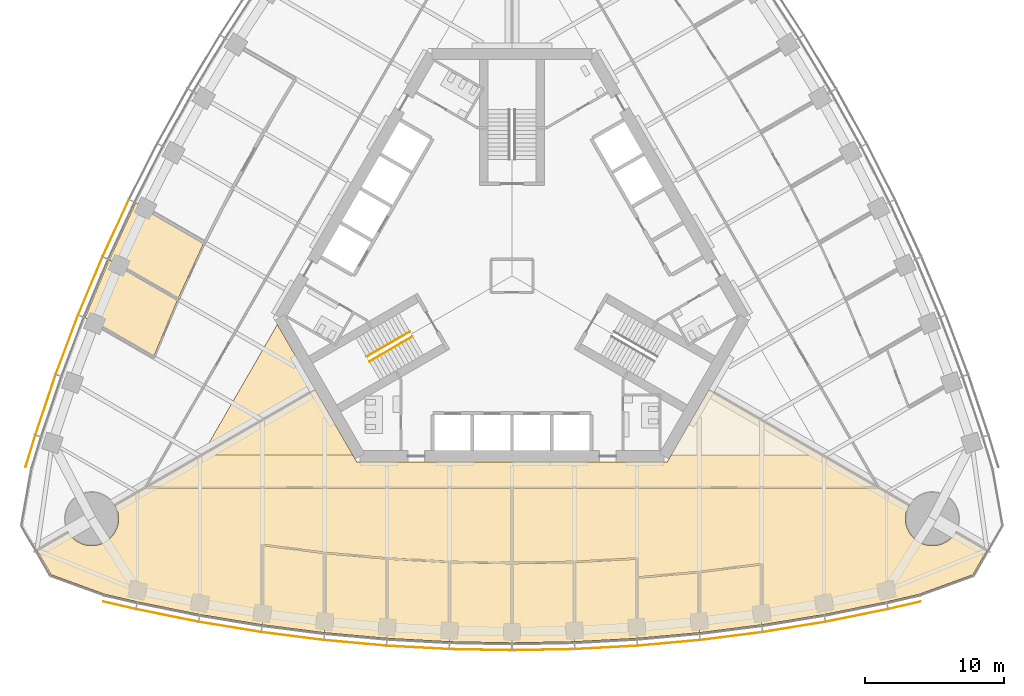
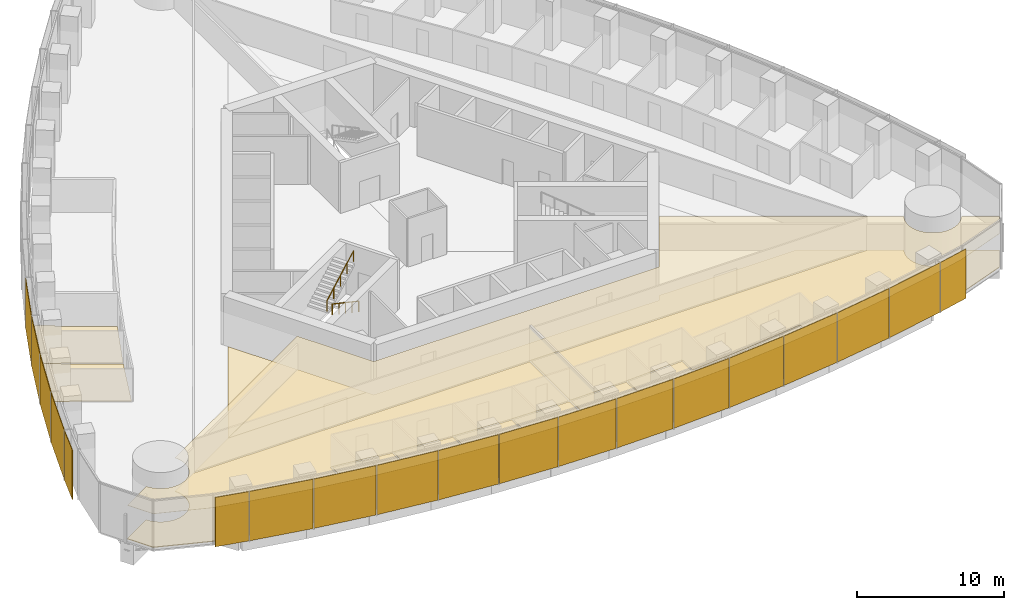
# One storey, part 17 of 21: 19 shading devices, 16 coverings, 2 railings.
"""IFC4 building model written with IfcOpenShell, lengths in metres."""

from ifc_helpers import new_model, si_unit, direction, frame, origin, origin_2d, place, context, subcontext, project, spatial, polyline, rectangle, circle, outline, extrude, material, layer, layer_set, type_object, element, save


model = new_model("IFC4")

# Units and contexts
model_context = context("Model", 3, precision=1e-05, world=origin(), true_north=direction((0.0, 1.0)))
body_context = subcontext(model_context, "Body", "Model", "MODEL_VIEW")
ifc_project = project(units=[si_unit("LENGTHUNIT", "METRE"), si_unit("AREAUNIT", "SQUARE_METRE"), si_unit("VOLUMEUNIT", "CUBIC_METRE"), si_unit("PLANEANGLEUNIT", "RADIAN"), si_unit("MASSUNIT", "GRAM", prefix="KILO")], contexts=[model_context])

# Site, building, storey
site_placement = place(None, origin())
site = spatial("IfcSite", under=ifc_project, at=site_placement, CompositionType="ELEMENT")
building_placement = place(site_placement, origin())
building = spatial("IfcBuilding", under=site, at=building_placement, Name="Trefoil Bronze Tower", CompositionType="ELEMENT")
storey_placement = place(building_placement, frame((0.0, 0.0, 149.300048828125)))
storey = spatial("IfcBuildingStorey", under=building, at=storey_placement, Name="L34", CompositionType="ELEMENT", Elevation=149.300048828125)

# Shading devices
ifc_material_1 = material(Name="Perforated bronze sheet", Category="bronze")
ifc_layer_1 = layer(ifc_material_1, 0.0400390625)
ifc_layer_set_1 = layer_set([ifc_layer_1], Name="Bronze solar screen panel")
shading_device_type = type_object("IfcShadingDeviceType", Name="Bronze solar screen panel", PredefinedType="SHUTTER", material=ifc_layer_set_1)
shading_device_1_placement = place(storey_placement, frame((-28.30078125, -23.748779296875, 0.0498046875), z_axis=(0.0, 0.0, 1.0), x_axis=(0.97420444715, -0.225667222151, 0.0)))
element("IfcShadingDevice", 1, at=shading_device_1_placement, inside=storey, type_object=shading_device_type, Name="Solar screen CW-A L34 F1 bay 1", PredefinedType="SHUTTER", context=body_context, shape_type="SweptSolid", body=[
    extrude(rectangle(XDim=2.39013671875, YDim=0.0400390625, at=origin_2d()), origin(), (0.0, 0.0, 1.0), 4.10009765625),
])
shading_device_2_placement = place(storey_placement, frame((-24.85693359375, -24.480224609375, 0.0498046875), z_axis=(0.0, 0.0, 1.0), x_axis=(0.980155155547, -0.198231861853, 0.0)))
element("IfcShadingDevice", 2, at=shading_device_2_placement, inside=storey, type_object=shading_device_type, Name="Solar screen CW-A L34 F1 bay 2", PredefinedType="SHUTTER", context=body_context, shape_type="SweptSolid", body=[
    extrude(rectangle(XDim=4.56103515625, YDim=0.0400390625, at=origin_2d()), origin(), (0.0, 0.0, 1.0), 4.10009765625),
])
shading_device_3_placement = place(storey_placement, frame((-20.337646484375, -25.30859375, 0.0498046875), z_axis=(0.0, 0.0, 1.0), x_axis=(0.986759655731, -0.162189339418, 0.0)))
element("IfcShadingDevice", 3, at=shading_device_3_placement, inside=storey, type_object=shading_device_type, Name="Solar screen CW-A L34 F1 bay 3", PredefinedType="SHUTTER", context=body_context, shape_type="SweptSolid", body=[
    extrude(rectangle(XDim=4.5302734375, YDim=0.0400390625, at=origin_2d()), origin(), (0.0, 0.0, 1.0), 4.10009765625),
])
shading_device_4_placement = place(storey_placement, frame((-15.818115234375, -25.96728515625, 0.0498046875), z_axis=(0.0, 0.0, 1.0), x_axis=(0.992011554286, -0.126147041833, 0.0)))
element("IfcShadingDevice", 4, at=shading_device_4_placement, inside=storey, type_object=shading_device_type, Name="Solar screen CW-A L34 F1 bay 4", PredefinedType="SHUTTER", context=body_context, shape_type="SweptSolid", body=[
    extrude(rectangle(XDim=4.50634765625, YDim=0.0400390625, at=origin_2d()), origin(), (0.0, 0.0, 1.0), 4.10009765625),
])
shading_device_5_placement = place(storey_placement, frame((-11.298583984375, -26.459228515625, 0.0498046875), z_axis=(0.0, 0.0, 1.0), x_axis=(0.995932279146, -0.090104913044, 0.0)))
element("IfcShadingDevice", 5, at=shading_device_5_placement, inside=storey, type_object=shading_device_type, Name="Solar screen CW-A L34 F1 bay 5", PredefinedType="SHUTTER", context=body_context, shape_type="SweptSolid", body=[
    extrude(rectangle(XDim=4.48828125, YDim=0.0400390625, at=origin_2d()), origin(), (0.0, 0.0, 1.0), 4.10009765625),
])
shading_device_6_placement = place(storey_placement, frame((-6.779296875, -26.785888671875, 0.0498046875), z_axis=(0.0, 0.0, 1.0), x_axis=(0.998537531923, -0.054062901701, 0.0)))
element("IfcShadingDevice", 6, at=shading_device_6_placement, inside=storey, type_object=shading_device_type, Name="Solar screen CW-A L34 F1 bay 6", PredefinedType="SHUTTER", context=body_context, shape_type="SweptSolid", body=[
    extrude(rectangle(XDim=4.4765625, YDim=0.0400390625, at=origin_2d()), origin(), (0.0, 0.0, 1.0), 4.10009765625),
])
for number, where, z_axis, x_axis, name in (
    (7, (-2.259765625, -26.948974609375, 0.0498046875), (0.0, 0.0, 1.0), (0.999837609322, -0.018020959612, 0.0), "Solar screen CW-A L34 F1 bay 7"),
    (8, (2.259765625, -26.948974609375, 0.0498046875), (0.0, 0.0, 1.0), (0.999837609322, 0.018020959612, 0.0), "Solar screen CW-A L34 F1 bay 8"),
):
    element("IfcShadingDevice", number, at=place(storey_placement, frame(where, z_axis=z_axis, x_axis=x_axis)), inside=storey, type_object=shading_device_type, Name=name, PredefinedType="SHUTTER", context=body_context, shape_type="SweptSolid", body=[
        extrude(rectangle(XDim=4.470703125, YDim=0.0400390625, at=origin_2d()), origin(), (0.0, 0.0, 1.0), 4.10009765625),
    ])
shading_device_7_placement = place(storey_placement, frame((6.779296875, -26.785888671875, 0.0498046875), z_axis=(0.0, 0.0, 1.0), x_axis=(0.998537531923, 0.054062901701, 0.0)))
element("IfcShadingDevice", 9, at=shading_device_7_placement, inside=storey, type_object=shading_device_type, Name="Solar screen CW-A L34 F1 bay 9", PredefinedType="SHUTTER", context=body_context, shape_type="SweptSolid", body=[
    extrude(rectangle(XDim=4.4765625, YDim=0.0400390625, at=origin_2d()), origin(), (0.0, 0.0, 1.0), 4.10009765625),
])
shading_device_8_placement = place(storey_placement, frame((11.298583984375, -26.459228515625, 0.0498046875), z_axis=(0.0, 0.0, 1.0), x_axis=(0.995932279146, 0.090104913044, 0.0)))
element("IfcShadingDevice", 10, at=shading_device_8_placement, inside=storey, type_object=shading_device_type, Name="Solar screen CW-A L34 F1 bay 10", PredefinedType="SHUTTER", context=body_context, shape_type="SweptSolid", body=[
    extrude(rectangle(XDim=4.48828125, YDim=0.0400390625, at=origin_2d()), origin(), (0.0, 0.0, 1.0), 4.10009765625),
])
shading_device_9_placement = place(storey_placement, frame((15.818115234375, -25.96728515625, 0.0498046875), z_axis=(0.0, 0.0, 1.0), x_axis=(0.992011554286, 0.126147041833, 0.0)))
element("IfcShadingDevice", 11, at=shading_device_9_placement, inside=storey, type_object=shading_device_type, Name="Solar screen CW-A L34 F1 bay 11", PredefinedType="SHUTTER", context=body_context, shape_type="SweptSolid", body=[
    extrude(rectangle(XDim=4.50634765625, YDim=0.0400390625, at=origin_2d()), origin(), (0.0, 0.0, 1.0), 4.10009765625),
])
shading_device_10_placement = place(storey_placement, frame((20.337646484375, -25.30859375, 0.0498046875), z_axis=(0.0, 0.0, 1.0), x_axis=(0.986759655731, 0.162189339418, 0.0)))
element("IfcShadingDevice", 12, at=shading_device_10_placement, inside=storey, type_object=shading_device_type, Name="Solar screen CW-A L34 F1 bay 12", PredefinedType="SHUTTER", context=body_context, shape_type="SweptSolid", body=[
    extrude(rectangle(XDim=4.5302734375, YDim=0.0400390625, at=origin_2d()), origin(), (0.0, 0.0, 1.0), 4.10009765625),
])
shading_device_11_placement = place(storey_placement, frame((24.85693359375, -24.480224609375, 0.0498046875), z_axis=(0.0, 0.0, 1.0), x_axis=(0.980155155547, 0.198231861853, 0.0)))
element("IfcShadingDevice", 13, at=shading_device_11_placement, inside=storey, type_object=shading_device_type, Name="Solar screen CW-A L34 F1 bay 13", PredefinedType="SHUTTER", context=body_context, shape_type="SweptSolid", body=[
    extrude(rectangle(XDim=4.56103515625, YDim=0.0400390625, at=origin_2d()), origin(), (0.0, 0.0, 1.0), 4.10009765625),
])
shading_device_12_placement = place(storey_placement, frame((28.30078125, -23.748779296875, 0.0498046875), z_axis=(0.0, 0.0, 1.0), x_axis=(0.97420444715, 0.225667222151, 0.0)))
element("IfcShadingDevice", 14, at=shading_device_12_placement, inside=storey, type_object=shading_device_type, Name="Solar screen CW-A L34 F1 bay 14", PredefinedType="SHUTTER", context=body_context, shape_type="SweptSolid", body=[
    extrude(rectangle(XDim=2.39013671875, YDim=0.0400390625, at=origin_2d()), origin(), (0.0, 0.0, 1.0), 4.10009765625),
])
shading_device_13_placement = place(storey_placement, frame((-28.563720703125, 3.444580078125, 0.0498046875), z_axis=(0.0, 0.0, 1.0), x_axis=(-0.419932995871, -0.907555110712, 0.0)))
element("IfcShadingDevice", 15, at=shading_device_13_placement, inside=storey, type_object=shading_device_type, Name="Solar screen CW-A L34 F3 bay 10", PredefinedType="SHUTTER", context=body_context, shape_type="SweptSolid", body=[
    extrude(rectangle(XDim=4.48828125, YDim=0.0400390625, at=origin_2d()), origin(), (0.0, 0.0, 1.0), 4.10009765625),
])
shading_device_14_placement = place(storey_placement, frame((-30.3974609375, -0.715087890625, 0.0498046875), z_axis=(0.0, 0.0, 1.0), x_axis=(-0.386759234303, -0.922180727776, 0.0)))
element("IfcShadingDevice", 16, at=shading_device_14_placement, inside=storey, type_object=shading_device_type, Name="Solar screen CW-A L34 F3 bay 11", PredefinedType="SHUTTER", context=body_context, shape_type="SweptSolid", body=[
    extrude(rectangle(XDim=4.50634765625, YDim=0.0400390625, at=origin_2d()), origin(), (0.0, 0.0, 1.0), 4.10009765625),
])
shading_device_15_placement = place(storey_placement, frame((-32.086669921875, -4.95849609375, 0.0498046875), z_axis=(0.0, 0.0, 1.0), x_axis=(-0.352919739707, -0.935653599002, 0.0)))
element("IfcShadingDevice", 17, at=shading_device_15_placement, inside=storey, type_object=shading_device_type, Name="Solar screen CW-A L34 F3 bay 12", PredefinedType="SHUTTER", context=body_context, shape_type="SweptSolid", body=[
    extrude(rectangle(XDim=4.5302734375, YDim=0.0400390625, at=origin_2d()), origin(), (0.0, 0.0, 1.0), 4.10009765625),
])
shading_device_16_placement = place(storey_placement, frame((-33.62890625, -9.286865234375, 0.0498046875), z_axis=(0.0, 0.0, 1.0), x_axis=(-0.318403749569, -0.947955195281, 0.0)))
element("IfcShadingDevice", 18, at=shading_device_16_placement, inside=storey, type_object=shading_device_type, Name="Solar screen CW-A L34 F3 bay 13", PredefinedType="SHUTTER", context=body_context, shape_type="SweptSolid", body=[
    extrude(rectangle(XDim=4.56103515625, YDim=0.0400390625, at=origin_2d()), origin(), (0.0, 0.0, 1.0), 4.10009765625),
])
shading_device_17_placement = place(storey_placement, frame((-34.717529296875, -12.634765625, 0.0498046875), z_axis=(0.0, 0.0, 1.0), x_axis=(-0.291668676391, -0.956519410787, 0.0)))
element("IfcShadingDevice", 19, at=shading_device_17_placement, inside=storey, type_object=shading_device_type, Name="Solar screen CW-A L34 F3 bay 14", PredefinedType="SHUTTER", context=body_context, shape_type="SweptSolid", body=[
    extrude(rectangle(XDim=2.39013671875, YDim=0.0400390625, at=origin_2d()), origin(), (0.0, 0.0, 1.0), 4.10009765625),
])

# Railings
ifc_material_2 = material(Name="Steel handrail", Category="steel")
railing_type = type_object("IfcRailingType", Name="Handrail 900", PredefinedType="HANDRAIL", material=ifc_material_2)
railing_1_placement = place(storey_placement, frame((-7.166015625, -4.3681640625, 0.161376953125)))
element("IfcRailing", 20, at=railing_1_placement, inside=storey, type_object=railing_type, Name="Handrail ST3 flight 1 L34", PredefinedType="HANDRAIL", context=body_context, shape_type="SweptSolid", body=[
    extrude(circle(Radius=0.02392578125, at=origin_2d()), frame((0.0, 0.0, 0.8759765625), z_axis=(-0.76250339821, -0.440245697338, 0.474101564745), x_axis=(0.500012057535, -0.866018442252, 0.0)), (0.0, 0.0, 1.0), 4.088623046875),
    extrude(circle(Radius=0.02099609375, at=origin_2d()), origin(), (0.0, 0.0, 1.0), 0.851806640625),
    extrude(circle(Radius=0.02099609375, at=origin_2d()), frame((-0.779296875, -0.449951171875, 0.484619140625)), (0.0, 0.0, 1.0), 0.851806640625),
    extrude(circle(Radius=0.02099609375, at=origin_2d()), frame((-1.558837890625, -0.89990234375, 0.96923828125)), (0.0, 0.0, 1.0), 0.851806640625),
    extrude(circle(Radius=0.02099609375, at=origin_2d()), frame((-2.33837890625, -1.35009765625, 1.453857421875)), (0.0, 0.0, 1.0), 0.851806640625),
    extrude(circle(Radius=0.02099609375, at=origin_2d()), frame((-3.11767578125, -1.800048828125, 1.9384765625)), (0.0, 0.0, 1.0), 0.851806640625),
])
railing_2_placement = place(storey_placement, frame((-10.483642578125, -5.82177734375, 2.261474609375)))
element("IfcRailing", 21, at=railing_2_placement, inside=storey, type_object=railing_type, Name="Handrail ST3 flight 2 L34", PredefinedType="HANDRAIL", context=body_context, shape_type="SweptSolid", body=[
    extrude(circle(Radius=0.02392578125, at=origin_2d()), frame((0.0, 0.0, 0.8759765625), z_axis=(0.76250339821, 0.440245697338, 0.474101564745), x_axis=(-0.500012057535, 0.866018442252, 0.0)), (0.0, 0.0, 1.0), 4.088623046875),
    extrude(circle(Radius=0.02099609375, at=origin_2d()), origin(), (0.0, 0.0, 1.0), 0.851806640625),
    extrude(circle(Radius=0.02099609375, at=origin_2d()), frame((0.779296875, 0.449951171875, 0.484619140625)), (0.0, 0.0, 1.0), 0.851806640625),
    extrude(circle(Radius=0.02099609375, at=origin_2d()), frame((1.558837890625, 0.89990234375, 0.96923828125)), (0.0, 0.0, 1.0), 0.851806640625),
    extrude(circle(Radius=0.02099609375, at=origin_2d()), frame((2.33837890625, 1.35009765625, 1.453857421875)), (0.0, 0.0, 1.0), 0.851806640625),
    extrude(circle(Radius=0.02099609375, at=origin_2d()), frame((3.11767578125, 1.800048828125, 1.9384765625)), (0.0, 0.0, 1.0), 0.851806640625),
])

# Coverings
ifc_material_3 = material(Name="Acoustic ceiling panels", Category="mineral fibre")
ifc_layer_2 = layer(ifc_material_3, 0.02001953125)
ifc_layer_set_2 = layer_set([ifc_layer_2], Name="Office ceiling 20")
covering_type_1 = type_object("IfcCoveringType", Name="Office ceiling 20", PredefinedType="CEILING", material=ifc_layer_set_2)
covering_1_placement = place(storey_placement, frame((0.0, 0.0, 2.89990234375)))
element("IfcCovering", 22, at=covering_1_placement, inside=storey, type_object=covering_type_1, Name="Ceiling L34 Open-plan office F1", PredefinedType="CEILING", context=body_context, shape_type="SweptSolid", body=[
    extrude(outline(polyline([(-31.932373046875, -18.58349609375), (-31.877197265625, -18.66162109375), (-31.818359375, -18.737060546875), (-31.755615234375, -18.8095703125), (-31.689697265625, -18.87890625), (-31.620361328125, -18.94482421875), (-31.548095703125, -19.00732421875), (-31.472412109375, -19.06640625), (-31.394287109375, -19.121337890625), (-31.3134765625, -19.172607421875), (-31.22998046875, -19.2197265625), (-31.14453125, -19.2626953125), (-31.05712890625, -19.301513671875), (-30.9677734375, -19.3359375), (-30.876953125, -19.365966796875), (-30.78466796875, -19.3916015625), (-30.69140625, -19.41259765625), (-30.596923828125, -19.428955078125), (-30.501953125, -19.440673828125), (-30.406494140625, -19.44775390625), (-30.310791015625, -19.449951171875), (-30.215087890625, -19.44775390625), (-30.119873046875, -19.440673828125), (-30.02490234375, -19.428955078125), (-29.930419921875, -19.41259765625), (-29.837158203125, -19.3916015625), (-29.744873046875, -19.365966796875), (-29.654052734375, -19.3359375), (-29.564697265625, -19.301513671875), (-29.477294921875, -19.2626953125), (-29.3916015625, -19.2197265625), (-29.308349609375, -19.172607421875), (-29.2275390625, -19.121337890625), (-29.1494140625, -19.06640625), (-29.07373046875, -19.00732421875), (-29.001220703125, -18.94482421875), (-28.931884765625, -18.87890625), (-28.865966796875, -18.8095703125), (-28.803466796875, -18.737060546875), (-28.74462890625, -18.66162109375), (-28.689453125, -18.58349609375), (-28.63818359375, -18.50244140625), (-28.591064453125, -18.419189453125), (-28.548095703125, -18.333740234375), (-28.50927734375, -18.24609375), (-28.474853515625, -18.156982421875), (-28.44482421875, -18.066162109375), (-28.419189453125, -17.973876953125), (-28.3984375, -17.88037109375), (-28.382080078125, -17.7861328125), (-28.370361328125, -17.691162109375), (-28.36328125, -17.595703125), (-28.36083984375, -17.5), (-28.36328125, -17.404296875), (-28.370361328125, -17.308837890625), (-28.382080078125, -17.2138671875), (-28.3984375, -17.11962890625), (-28.419189453125, -17.026123046875), (-28.44482421875, -16.933837890625), (-28.474853515625, -16.843017578125), (-28.50927734375, -16.75390625), (-28.548095703125, -16.666259765625), (-28.591064453125, -16.580810546875), (-28.616455078125, -16.535888671875), (-14.19970703125, -8.205322265625), (-11.20068359375, -13.39990234375), (11.20068359375, -13.39990234375), (14.19970703125, -8.205322265625), (28.616455078125, -16.535888671875), (28.591064453125, -16.580810546875), (28.548095703125, -16.666259765625), (28.50927734375, -16.75390625), (28.474853515625, -16.843017578125), (28.44482421875, -16.933837890625), (28.419189453125, -17.026123046875), (28.3984375, -17.11962890625), (28.382080078125, -17.2138671875), (28.370361328125, -17.308837890625), (28.36328125, -17.404296875), (28.36083984375, -17.5), (28.36328125, -17.595703125), (28.370361328125, -17.691162109375), (28.382080078125, -17.7861328125), (28.3984375, -17.88037109375), (28.419189453125, -17.973876953125), (28.44482421875, -18.066162109375), (28.474853515625, -18.156982421875), (28.50927734375, -18.24609375), (28.548095703125, -18.333740234375), (28.591064453125, -18.419189453125), (28.63818359375, -18.50244140625), (28.689453125, -18.58349609375), (28.74462890625, -18.66162109375), (28.803466796875, -18.737060546875), (28.865966796875, -18.8095703125), (28.931884765625, -18.87890625), (29.001220703125, -18.94482421875), (29.07373046875, -19.00732421875), (29.1494140625, -19.06640625), (29.2275390625, -19.121337890625), (29.308349609375, -19.172607421875), (29.3916015625, -19.2197265625), (29.477294921875, -19.2626953125), (29.564697265625, -19.301513671875), (29.654052734375, -19.3359375), (29.744873046875, -19.365966796875), (29.837158203125, -19.3916015625), (29.930419921875, -19.41259765625), (30.02490234375, -19.428955078125), (30.119873046875, -19.440673828125), (30.215087890625, -19.44775390625), (30.310791015625, -19.449951171875), (30.406494140625, -19.44775390625), (30.501953125, -19.440673828125), (30.596923828125, -19.428955078125), (30.69140625, -19.41259765625), (30.78466796875, -19.3916015625), (30.876953125, -19.365966796875), (30.9677734375, -19.3359375), (31.05712890625, -19.301513671875), (31.14453125, -19.2626953125), (31.22998046875, -19.2197265625), (31.3134765625, -19.172607421875), (31.394287109375, -19.121337890625), (31.472412109375, -19.06640625), (31.548095703125, -19.00732421875), (31.620361328125, -18.94482421875), (31.689697265625, -18.87890625), (31.755615234375, -18.8095703125), (31.818359375, -18.737060546875), (31.877197265625, -18.66162109375), (31.932373046875, -18.58349609375), (31.992431640625, -18.48681640625), (34.233154296875, -19.781494140625), (33.21435546875, -21.5458984375), (29.357666015625, -22.94970703125), (27.0, -23.495849609375), (22.5, -24.406005859375), (18.0, -25.1455078125), (13.5, -25.7177734375), (9.0, -26.125), (4.5, -26.36865234375), (0.0, -26.44970703125), (-4.5, -26.36865234375), (-9.0, -26.125), (-13.5, -25.7177734375), (-18.0, -25.1455078125), (-22.5, -24.406005859375), (-27.0, -23.495849609375), (-29.357666015625, -22.94970703125), (-33.21435546875, -21.5458984375), (-34.233154296875, -19.781494140625), (-31.992431640625, -18.48681640625), (-31.932373046875, -18.58349609375)])), origin(), (0.0, 0.0, 1.0), 0.02001953125),
])
ifc_material_4 = material(Name="Raised access floor panels", Category="steel")
ifc_layer_3 = layer(ifc_material_4, 0.050048828125)
ifc_layer_set_3 = layer_set([ifc_layer_3], Name="Raised access floor 150")
covering_type_2 = type_object("IfcCoveringType", Name="Raised access floor 150", PredefinedType="FLOORING", material=ifc_layer_set_3)
covering_2_placement = place(storey_placement, frame((0.0, 0.0, 0.099853515625)))
element("IfcCovering", 23, at=covering_2_placement, inside=storey, type_object=covering_type_2, Name="Raised floor L34 Office F1", PredefinedType="FLOORING", context=body_context, shape_type="SweptSolid", body=[
    extrude(outline(polyline([(-13.5, -25.7177734375), (-18.0, -25.1455078125), (-18.0, -23.67529296875), (-17.93994140625, -23.67529296875), (-17.93994140625, -19.463623046875), (-13.56005859375, -20.020751953125), (-13.56005859375, -24.25439453125), (-13.5, -24.25439453125), (-13.5, -25.7177734375)])), origin(), (0.0, 0.0, 1.0), 0.050048828125),
])
covering_3_placement = place(storey_placement, frame((0.0, 0.0, 0.099853515625)))
element("IfcCovering", 24, at=covering_3_placement, inside=storey, type_object=covering_type_2, Name="Raised floor L34 Office F1", PredefinedType="FLOORING", context=body_context, shape_type="SweptSolid", body=[
    extrude(outline(polyline([(-9.0, -26.125), (-13.5, -25.7177734375), (-13.5, -24.25439453125), (-13.43994140625, -24.25439453125), (-13.43994140625, -20.033447265625), (-9.06005859375, -20.4296875), (-9.06005859375, -24.666259765625), (-9.0, -24.666259765625), (-9.0, -26.125)])), origin(), (0.0, 0.0, 1.0), 0.050048828125),
])
covering_4_placement = place(storey_placement, frame((0.0, 0.0, 0.099853515625)))
element("IfcCovering", 25, at=covering_4_placement, inside=storey, type_object=covering_type_2, Name="Raised floor L34 Office F1", PredefinedType="FLOORING", context=body_context, shape_type="SweptSolid", body=[
    extrude(outline(polyline([(-4.5, -26.36865234375), (-9.0, -26.125), (-9.0, -24.666259765625), (-8.93994140625, -24.666259765625), (-8.93994140625, -20.438232421875), (-4.56005859375, -20.67529296875), (-4.56005859375, -24.91259765625), (-4.5, -24.91259765625), (-4.5, -26.36865234375)])), origin(), (0.0, 0.0, 1.0), 0.050048828125),
])
covering_5_placement = place(storey_placement, frame((0.0, 0.0, 0.099853515625)))
element("IfcCovering", 26, at=covering_5_placement, inside=storey, type_object=covering_type_2, Name="Raised floor L34 Office F1", PredefinedType="FLOORING", context=body_context, shape_type="SweptSolid", body=[
    extrude(outline(polyline([(0.0, -26.44970703125), (-4.5, -26.36865234375), (-4.5, -24.91259765625), (-4.43994140625, -24.91259765625), (-4.43994140625, -20.6796875), (-0.074951171875, -20.75830078125), (-0.074951171875, -24.99462890625), (0.0, -24.99462890625), (0.0, -26.44970703125)])), origin(), (0.0, 0.0, 1.0), 0.050048828125),
])
covering_6_placement = place(storey_placement, frame((0.0, 0.0, 0.099853515625)))
element("IfcCovering", 27, at=covering_6_placement, inside=storey, type_object=covering_type_2, Name="Raised floor L34 Meeting room F1", PredefinedType="FLOORING", context=body_context, shape_type="SweptSolid", body=[
    extrude(outline(polyline([(4.5, -26.36865234375), (0.0, -26.44970703125), (0.0, -24.99462890625), (0.074951171875, -24.99462890625), (0.074951171875, -20.75830078125), (4.43994140625, -20.6796875), (4.43994140625, -24.91259765625), (4.5, -24.91259765625), (4.5, -26.36865234375)])), origin(), (0.0, 0.0, 1.0), 0.050048828125),
])
covering_7_placement = place(storey_placement, frame((0.0, 0.0, 0.099853515625)))
element("IfcCovering", 28, at=covering_7_placement, inside=storey, type_object=covering_type_2, Name="Raised floor L34 Meeting room F1", PredefinedType="FLOORING", context=body_context, shape_type="SweptSolid", body=[
    extrude(outline(polyline([(9.0, -26.125), (4.5, -26.36865234375), (4.5, -24.91259765625), (4.56005859375, -24.91259765625), (4.56005859375, -20.67529296875), (8.93994140625, -20.438232421875), (8.93994140625, -24.666259765625), (9.0, -24.666259765625), (9.0, -26.125)])), origin(), (0.0, 0.0, 1.0), 0.050048828125),
])
covering_8_placement = place(storey_placement, frame((0.0, 0.0, 0.099853515625)))
element("IfcCovering", 29, at=covering_8_placement, inside=storey, type_object=covering_type_2, Name="Raised floor L34 Pantry F1", PredefinedType="FLOORING", context=body_context, shape_type="SweptSolid", body=[
    extrude(outline(polyline([(13.5, -25.7177734375), (9.0, -26.125), (9.0, -24.666259765625), (9.06005859375, -24.666259765625), (9.06005859375, -21.809814453125), (13.43994140625, -21.41357421875), (13.43994140625, -24.25439453125), (13.5, -24.25439453125), (13.5, -25.7177734375)])), origin(), (0.0, 0.0, 1.0), 0.050048828125),
])
covering_9_placement = place(storey_placement, frame((0.0, 0.0, 0.099853515625)))
element("IfcCovering", 30, at=covering_9_placement, inside=storey, type_object=covering_type_2, Name="Raised floor L34 Pantry F1", PredefinedType="FLOORING", context=body_context, shape_type="SweptSolid", body=[
    extrude(outline(polyline([(18.0, -25.1455078125), (13.5, -25.7177734375), (13.5, -24.25439453125), (13.56005859375, -24.25439453125), (13.56005859375, -21.400634765625), (17.93994140625, -20.84375), (17.93994140625, -23.67529296875), (18.0, -23.67529296875), (18.0, -25.1455078125)])), origin(), (0.0, 0.0, 1.0), 0.050048828125),
])
covering_10_placement = place(storey_placement, frame((0.0, 0.0, 0.099853515625)))
element("IfcCovering", 31, at=covering_10_placement, inside=storey, type_object=covering_type_2, Name="Raised floor L34 Corridor F1", PredefinedType="FLOORING", context=body_context, shape_type="SweptSolid", body=[
    extrude(outline(polyline([(-26.304443359375, -15.199951171875), (-22.32421875, -12.89990234375), (-11.4892578125, -12.89990234375), (-11.20068359375, -13.39990234375), (11.20068359375, -13.39990234375), (11.4892578125, -12.89990234375), (22.32421875, -12.89990234375), (26.304443359375, -15.199951171875), (-26.304443359375, -15.199951171875)])), origin(), (0.0, 0.0, 1.0), 0.050048828125),
])
covering_11_placement = place(storey_placement, frame((0.0, 0.0, 0.099853515625)))
element("IfcCovering", 32, at=covering_11_placement, inside=storey, type_object=covering_type_2, Name="Raised floor L34 Open-plan office F1", PredefinedType="FLOORING", context=body_context, shape_type="SweptSolid", body=[
    extrude(outline(polyline([(18.0, -23.67529296875), (18.06005859375, -23.67529296875), (18.06005859375, -20.775634765625), (18.0, -20.775634765625), (17.992431640625, -20.716064453125), (13.493408203125, -21.2880859375), (9.06005859375, -21.689208984375), (9.06005859375, -20.375), (9.0, -20.375), (8.996826171875, -20.31494140625), (4.497802734375, -20.55859375), (0.074951171875, -20.63818359375), (0.074951171875, -15.320068359375), (26.398193359375, -15.320068359375), (26.398193359375, -15.254150390625), (28.616455078125, -16.535888671875), (28.591064453125, -16.580810546875), (28.548095703125, -16.666259765625), (28.50927734375, -16.75390625), (28.474853515625, -16.843017578125), (28.44482421875, -16.933837890625), (28.419189453125, -17.026123046875), (28.3984375, -17.11962890625), (28.382080078125, -17.2138671875), (28.370361328125, -17.308837890625), (28.36328125, -17.404296875), (28.36083984375, -17.5), (28.36328125, -17.595703125), (28.370361328125, -17.691162109375), (28.382080078125, -17.7861328125), (28.3984375, -17.88037109375), (28.419189453125, -17.973876953125), (28.44482421875, -18.066162109375), (28.474853515625, -18.156982421875), (28.50927734375, -18.24609375), (28.548095703125, -18.333740234375), (28.591064453125, -18.419189453125), (28.63818359375, -18.50244140625), (28.689453125, -18.58349609375), (28.74462890625, -18.66162109375), (28.803466796875, -18.737060546875), (28.865966796875, -18.8095703125), (28.931884765625, -18.87890625), (29.001220703125, -18.94482421875), (29.07373046875, -19.00732421875), (29.1494140625, -19.06640625), (29.2275390625, -19.121337890625), (29.308349609375, -19.172607421875), (29.3916015625, -19.2197265625), (29.477294921875, -19.2626953125), (29.564697265625, -19.301513671875), (29.654052734375, -19.3359375), (29.744873046875, -19.365966796875), (29.837158203125, -19.3916015625), (29.930419921875, -19.41259765625), (30.02490234375, -19.428955078125), (30.119873046875, -19.440673828125), (30.215087890625, -19.44775390625), (30.310791015625, -19.449951171875), (30.406494140625, -19.44775390625), (30.501953125, -19.440673828125), (30.596923828125, -19.428955078125), (30.69140625, -19.41259765625), (30.78466796875, -19.3916015625), (30.876953125, -19.365966796875), (30.9677734375, -19.3359375), (31.05712890625, -19.301513671875), (31.14453125, -19.2626953125), (31.22998046875, -19.2197265625), (31.3134765625, -19.172607421875), (31.394287109375, -19.121337890625), (31.472412109375, -19.06640625), (31.548095703125, -19.00732421875), (31.620361328125, -18.94482421875), (31.689697265625, -18.87890625), (31.755615234375, -18.8095703125), (31.818359375, -18.737060546875), (31.877197265625, -18.66162109375), (31.932373046875, -18.58349609375), (31.992431640625, -18.48681640625), (34.233154296875, -19.781494140625), (33.21435546875, -21.5458984375), (29.357666015625, -22.94970703125), (27.0, -23.495849609375), (22.5, -24.406005859375), (18.0, -25.1455078125), (18.0, -23.67529296875)])), origin(), (0.0, 0.0, 1.0), 0.050048828125),
])
covering_12_placement = place(storey_placement, frame((0.0, 0.0, 0.099853515625)))
element("IfcCovering", 33, at=covering_12_placement, inside=storey, type_object=covering_type_2, Name="Raised floor L34 Open-plan office F1", PredefinedType="FLOORING", context=body_context, shape_type="SweptSolid", body=[
    extrude(outline(polyline([(-28.50927734375, -16.75390625), (-28.548095703125, -16.666259765625), (-28.591064453125, -16.580810546875), (-28.616455078125, -16.535888671875), (-26.398193359375, -15.254150390625), (-26.398193359375, -15.320068359375), (-0.074951171875, -15.320068359375), (-0.074951171875, -20.63818359375), (-4.497802734375, -20.55859375), (-8.99560546875, -20.315185546875), (-13.493408203125, -19.908203125), (-17.992431640625, -19.3359375), (-18.0, -19.3955078125), (-18.06005859375, -19.3955078125), (-18.06005859375, -23.67529296875), (-18.0, -23.67529296875), (-18.0, -25.1455078125), (-22.5, -24.406005859375), (-27.0, -23.495849609375), (-29.357666015625, -22.94970703125), (-33.21435546875, -21.5458984375), (-34.233154296875, -19.781494140625), (-31.992431640625, -18.48681640625), (-31.932373046875, -18.58349609375), (-31.877197265625, -18.66162109375), (-31.818359375, -18.737060546875), (-31.755615234375, -18.8095703125), (-31.689697265625, -18.87890625), (-31.620361328125, -18.94482421875), (-31.548095703125, -19.00732421875), (-31.472412109375, -19.06640625), (-31.394287109375, -19.121337890625), (-31.3134765625, -19.172607421875), (-31.22998046875, -19.2197265625), (-31.14453125, -19.2626953125), (-31.05712890625, -19.301513671875), (-30.9677734375, -19.3359375), (-30.876953125, -19.365966796875), (-30.78466796875, -19.3916015625), (-30.69140625, -19.41259765625), (-30.596923828125, -19.428955078125), (-30.501953125, -19.440673828125), (-30.406494140625, -19.44775390625), (-30.310791015625, -19.449951171875), (-30.215087890625, -19.44775390625), (-30.119873046875, -19.440673828125), (-30.02490234375, -19.428955078125), (-29.930419921875, -19.41259765625), (-29.837158203125, -19.3916015625), (-29.744873046875, -19.365966796875), (-29.654052734375, -19.3359375), (-29.564697265625, -19.301513671875), (-29.477294921875, -19.2626953125), (-29.3916015625, -19.2197265625), (-29.308349609375, -19.172607421875), (-29.2275390625, -19.121337890625), (-29.1494140625, -19.06640625), (-29.07373046875, -19.00732421875), (-29.001220703125, -18.94482421875), (-28.931884765625, -18.87890625), (-28.865966796875, -18.8095703125), (-28.803466796875, -18.737060546875), (-28.74462890625, -18.66162109375), (-28.689453125, -18.58349609375), (-28.63818359375, -18.50244140625), (-28.591064453125, -18.419189453125), (-28.548095703125, -18.333740234375), (-28.50927734375, -18.24609375), (-28.474853515625, -18.156982421875), (-28.44482421875, -18.066162109375), (-28.419189453125, -17.973876953125), (-28.3984375, -17.88037109375), (-28.382080078125, -17.7861328125), (-28.370361328125, -17.691162109375), (-28.36328125, -17.595703125), (-28.36083984375, -17.5), (-28.36328125, -17.404296875), (-28.370361328125, -17.308837890625), (-28.382080078125, -17.2138671875), (-28.3984375, -17.11962890625), (-28.419189453125, -17.026123046875), (-28.44482421875, -16.933837890625), (-28.474853515625, -16.843017578125), (-28.50927734375, -16.75390625)])), origin(), (0.0, 0.0, 1.0), 0.050048828125),
])
covering_13_placement = place(storey_placement, frame((0.0, 0.0, 0.099853515625)))
element("IfcCovering", 34, at=covering_13_placement, inside=storey, type_object=covering_type_2, Name="Raised floor L34 Open-plan office F1", PredefinedType="FLOORING", context=body_context, shape_type="SweptSolid", body=[
    extrude(outline(polyline([(-22.32421875, -12.89990234375), (-14.19970703125, -8.205322265625), (-11.4892578125, -12.89990234375), (-22.32421875, -12.89990234375)])), origin(), (0.0, 0.0, 1.0), 0.050048828125),
])
covering_14_placement = place(storey_placement, frame((0.0, 0.0, 0.099853515625)))
element("IfcCovering", 35, at=covering_14_placement, inside=storey, type_object=covering_type_2, Name="Raised floor L34 Meeting room F3", PredefinedType="FLOORING", context=body_context, shape_type="SweptSolid", body=[
    extrude(outline(polyline([(-25.861572265625, 4.538818359375), (-25.91162109375, 4.4521484375), (-22.239501953125, 2.332275390625), (-24.069580078125, -1.62255859375), (-27.724853515625, 0.48779296875), (-27.7548828125, 0.435791015625), (-29.022216796875, 1.16748046875), (-27.124755859375, 5.268310546875), (-25.861572265625, 4.538818359375)])), origin(), (0.0, 0.0, 1.0), 0.050048828125),
])
covering_15_placement = place(storey_placement, frame((0.0, 0.0, 0.099853515625)))
element("IfcCovering", 36, at=covering_15_placement, inside=storey, type_object=covering_type_2, Name="Raised floor L34 Meeting room F3", PredefinedType="FLOORING", context=body_context, shape_type="SweptSolid", body=[
    extrude(outline(polyline([(-27.7548828125, 0.435791015625), (-27.784912109375, 0.3837890625), (-24.118408203125, -1.73291015625), (-25.825927734375, -5.8046875), (-29.473388671875, -3.69873046875), (-29.50341796875, -3.750732421875), (-30.776611328125, -3.015625), (-29.022216796875, 1.16748046875), (-27.7548828125, 0.435791015625)])), origin(), (0.0, 0.0, 1.0), 0.050048828125),
])
covering_16_placement = place(storey_placement, frame((0.0, 0.0, 0.099853515625)))
element("IfcCovering", 37, at=covering_16_placement, inside=storey, type_object=covering_type_2, Name="Raised floor L34 Open-plan office F3", PredefinedType="FLOORING", context=body_context, shape_type="SweptSolid", body=[
    extrude(outline(polyline([(-16.91650390625, -3.5), (-14.205810546875, -8.194580078125), (-22.333740234375, -12.88330078125), (-16.91650390625, -3.5)])), origin(), (0.0, 0.0, 1.0), 0.050048828125),
])

save(model, "model.ifc")
